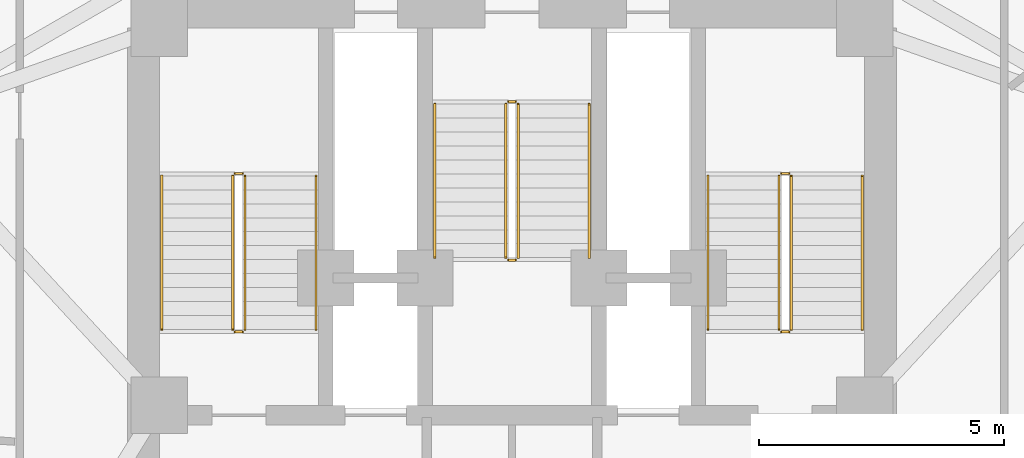
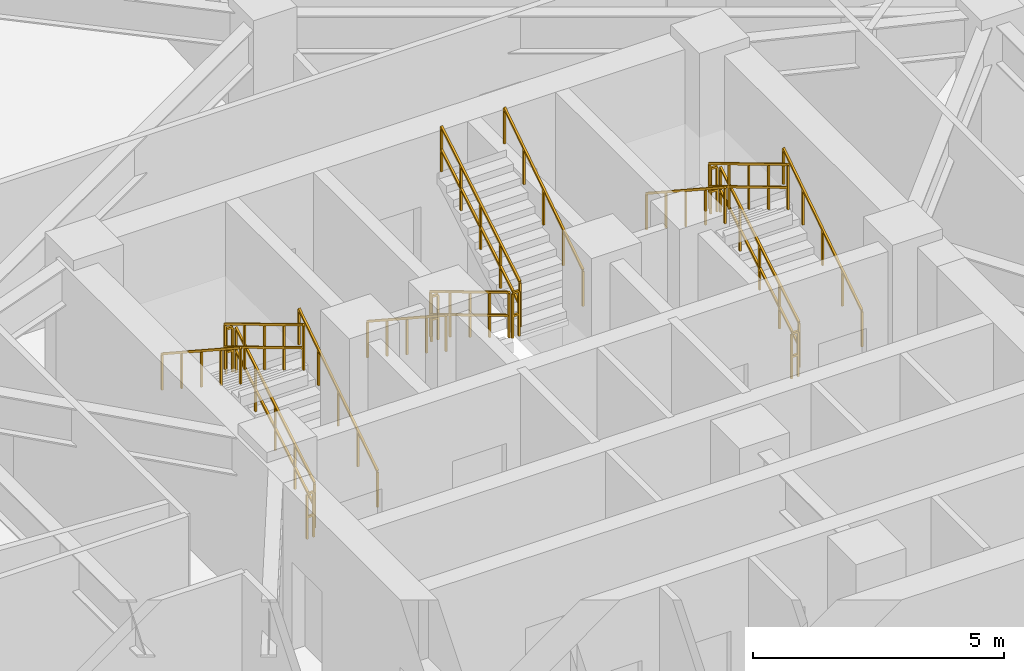
# One storey, part 9 of 10: 18 railings.
"""IFC4 building model written with IfcOpenShell, lengths in metres."""

from ifc_helpers import new_model, si_unit, direction, frame, origin, origin_2d, place, context, subcontext, project, spatial, rectangle, extrude, material, type_object, element, save


model = new_model("IFC4")

# Units and contexts
model_context = context("Model", 3, precision=1e-05, world=origin(), true_north=direction((0.0, 1.0)))
body_context = subcontext(model_context, "Body", "Model", "MODEL_VIEW")
ifc_project = project(units=[si_unit("LENGTHUNIT", "METRE"), si_unit("AREAUNIT", "SQUARE_METRE"), si_unit("VOLUMEUNIT", "CUBIC_METRE"), si_unit("PLANEANGLEUNIT", "RADIAN"), si_unit("MASSUNIT", "GRAM", prefix="KILO")], contexts=[model_context])

# Site, building, storey
site_placement = place(None, origin())
site = spatial("IfcSite", under=ifc_project, at=site_placement, CompositionType="ELEMENT")
building_placement = place(site_placement, origin())
building = spatial("IfcBuilding", under=site, at=building_placement, Name="Apsidion Concourse Tower", CompositionType="ELEMENT")
storey_placement = place(building_placement, frame((0.0, 0.0, 202.39990234375)))
storey = spatial("IfcBuildingStorey", under=building, at=storey_placement, Name="L47", CompositionType="ELEMENT", Elevation=202.39990234375)

# Railings
ifc_material = material(Name="Brushed stainless steel 316", Category="steel")
railing_type_1 = type_object("IfcRailingType", Name="RL-GUARD-1100", PredefinedType="GUARDRAIL", material=ifc_material)
railing_1_placement = place(storey_placement, frame((-5.449951171875, 3.0, 0.1708984375)))
element("IfcRailing", 1, at=railing_1_placement, inside=storey, type_object=railing_type_1, Name="L47 ST1 stair guard 1", PredefinedType="GUARDRAIL", context=body_context, shape_type="SweptSolid", body=[
    extrude(rectangle(XDim=0.048095703125, YDim=0.048095703125, at=origin_2d()), frame((0.0, 0.0, 1.09619140625), z_axis=(0.0, 0.857716804754, 0.514122439544), x_axis=(-1.0, 0.0, 0.0)), (0.0, 0.0, 1.0), 3.655029296875),
    extrude(rectangle(XDim=0.048095703125, YDim=0.048095703125, at=origin_2d()), frame((0.0, 0.0, 0.5361328125), z_axis=(0.0, 0.857716804754, 0.514122439544), x_axis=(-1.0, 0.0, 0.0)), (0.0, 0.0, 1.0), 3.655029296875),
    extrude(rectangle(XDim=0.0419921875, YDim=0.0419921875, at=origin_2d()), origin(), (0.0, 0.0, 1.0), 1.072021484375),
    extrude(rectangle(XDim=0.0419921875, YDim=0.0419921875, at=origin_2d()), frame((0.0, 0.78369140625, 0.4697265625)), (0.0, 0.0, 1.0), 1.072021484375),
    extrude(rectangle(XDim=0.0419921875, YDim=0.0419921875, at=origin_2d()), frame((0.0, 1.5673828125, 0.939453125)), (0.0, 0.0, 1.0), 1.072021484375),
    extrude(rectangle(XDim=0.0419921875, YDim=0.0419921875, at=origin_2d()), frame((0.0, 2.351318359375, 1.409423828125)), (0.0, 0.0, 1.0), 1.072021484375),
    extrude(rectangle(XDim=0.0419921875, YDim=0.0419921875, at=origin_2d()), frame((0.0, 3.135009765625, 1.879150390625)), (0.0, 0.0, 1.0), 1.072021484375),
])
railing_2_placement = place(storey_placement, frame((-5.5, 6.18505859375, 2.050048828125)))
element("IfcRailing", 2, at=railing_2_placement, inside=storey, type_object=railing_type_1, Name="L47 ST1 stair guard 2", PredefinedType="GUARDRAIL", context=body_context, shape_type="SweptSolid", body=[
    extrude(rectangle(XDim=0.048095703125, YDim=0.048095703125, at=origin_2d()), frame((0.0, 0.0, 1.09619140625), z_axis=(-1.0, 0.0, 0.0), x_axis=(0.0, -1.0, 0.0)), (0.0, 0.0, 1.0), 0.14990234375),
    extrude(rectangle(XDim=0.048095703125, YDim=0.048095703125, at=origin_2d()), frame((0.0, 0.0, 0.5361328125), z_axis=(-1.0, 0.0, 0.0), x_axis=(0.0, -1.0, 0.0)), (0.0, 0.0, 1.0), 0.14990234375),
    extrude(rectangle(XDim=0.0419921875, YDim=0.0419921875, at=origin_2d()), origin(), (0.0, 0.0, 1.0), 1.072021484375),
    extrude(rectangle(XDim=0.0419921875, YDim=0.0419921875, at=origin_2d()), frame((-0.14990234375, 0.0, 0.0)), (0.0, 0.0, 1.0), 1.072021484375),
])
railing_3_placement = place(storey_placement, frame((-5.699951171875, 6.135009765625, 2.220947265625)))
element("IfcRailing", 3, at=railing_3_placement, inside=storey, type_object=railing_type_1, Name="L47 ST1 stair guard 3", PredefinedType="GUARDRAIL", context=body_context, shape_type="SweptSolid", body=[
    extrude(rectangle(XDim=0.048095703125, YDim=0.048095703125, at=origin_2d()), frame((0.0, 0.0, 1.09619140625), z_axis=(0.0, -0.857716804754, 0.514122439544), x_axis=(1.0, 0.0, 0.0)), (0.0, 0.0, 1.0), 3.655029296875),
    extrude(rectangle(XDim=0.048095703125, YDim=0.048095703125, at=origin_2d()), frame((0.0, 0.0, 0.5361328125), z_axis=(0.0, -0.857716804754, 0.514122439544), x_axis=(1.0, 0.0, 0.0)), (0.0, 0.0, 1.0), 3.655029296875),
    extrude(rectangle(XDim=0.0419921875, YDim=0.0419921875, at=origin_2d()), origin(), (0.0, 0.0, 1.0), 1.072021484375),
    extrude(rectangle(XDim=0.0419921875, YDim=0.0419921875, at=origin_2d()), frame((0.0, -0.78369140625, 0.4697265625)), (0.0, 0.0, 1.0), 1.072021484375),
    extrude(rectangle(XDim=0.0419921875, YDim=0.0419921875, at=origin_2d()), frame((0.0, -1.5673828125, 0.939453125)), (0.0, 0.0, 1.0), 1.072021484375),
    extrude(rectangle(XDim=0.0419921875, YDim=0.0419921875, at=origin_2d()), frame((0.0, -2.351318359375, 1.409423828125)), (0.0, 0.0, 1.0), 1.072021484375),
    extrude(rectangle(XDim=0.0419921875, YDim=0.0419921875, at=origin_2d()), frame((0.0, -3.135009765625, 1.879150390625)), (0.0, 0.0, 1.0), 1.072021484375),
])
railing_4_placement = place(storey_placement, frame((-5.5, 2.949951171875, 0.0)))
element("IfcRailing", 4, at=railing_4_placement, inside=storey, type_object=railing_type_1, Name="L47 ST1 stair guard 4", PredefinedType="GUARDRAIL", context=body_context, shape_type="SweptSolid", body=[
    extrude(rectangle(XDim=0.048095703125, YDim=0.048095703125, at=origin_2d()), frame((0.0, 0.0, 1.09619140625), z_axis=(-1.0, 0.0, 0.0), x_axis=(0.0, -1.0, 0.0)), (0.0, 0.0, 1.0), 0.14990234375),
    extrude(rectangle(XDim=0.048095703125, YDim=0.048095703125, at=origin_2d()), frame((0.0, 0.0, 0.5361328125), z_axis=(-1.0, 0.0, 0.0), x_axis=(0.0, -1.0, 0.0)), (0.0, 0.0, 1.0), 0.14990234375),
    extrude(rectangle(XDim=0.0419921875, YDim=0.0419921875, at=origin_2d()), origin(), (0.0, 0.0, 1.0), 1.072021484375),
    extrude(rectangle(XDim=0.0419921875, YDim=0.0419921875, at=origin_2d()), frame((-0.14990234375, 0.0, 0.0)), (0.0, 0.0, 1.0), 1.072021484375),
])
railing_5_placement = place(storey_placement, frame((5.699951171875, 3.0, 0.1708984375)))
element("IfcRailing", 5, at=railing_5_placement, inside=storey, type_object=railing_type_1, Name="L47 ST2 stair guard 1", PredefinedType="GUARDRAIL", context=body_context, shape_type="SweptSolid", body=[
    extrude(rectangle(XDim=0.048095703125, YDim=0.048095703125, at=origin_2d()), frame((0.0, 0.0, 1.09619140625), z_axis=(0.0, 0.857716804754, 0.514122439544), x_axis=(-1.0, 0.0, 0.0)), (0.0, 0.0, 1.0), 3.655029296875),
    extrude(rectangle(XDim=0.048095703125, YDim=0.048095703125, at=origin_2d()), frame((0.0, 0.0, 0.5361328125), z_axis=(0.0, 0.857716804754, 0.514122439544), x_axis=(-1.0, 0.0, 0.0)), (0.0, 0.0, 1.0), 3.655029296875),
    extrude(rectangle(XDim=0.0419921875, YDim=0.0419921875, at=origin_2d()), origin(), (0.0, 0.0, 1.0), 1.072021484375),
    extrude(rectangle(XDim=0.0419921875, YDim=0.0419921875, at=origin_2d()), frame((0.0, 0.78369140625, 0.4697265625)), (0.0, 0.0, 1.0), 1.072021484375),
    extrude(rectangle(XDim=0.0419921875, YDim=0.0419921875, at=origin_2d()), frame((0.0, 1.5673828125, 0.939453125)), (0.0, 0.0, 1.0), 1.072021484375),
    extrude(rectangle(XDim=0.0419921875, YDim=0.0419921875, at=origin_2d()), frame((0.0, 2.351318359375, 1.409423828125)), (0.0, 0.0, 1.0), 1.072021484375),
    extrude(rectangle(XDim=0.0419921875, YDim=0.0419921875, at=origin_2d()), frame((0.0, 3.135009765625, 1.879150390625)), (0.0, 0.0, 1.0), 1.072021484375),
])
railing_6_placement = place(storey_placement, frame((5.64990234375, 6.18505859375, 2.050048828125)))
element("IfcRailing", 6, at=railing_6_placement, inside=storey, type_object=railing_type_1, Name="L47 ST2 stair guard 2", PredefinedType="GUARDRAIL", context=body_context, shape_type="SweptSolid", body=[
    extrude(rectangle(XDim=0.048095703125, YDim=0.048095703125, at=origin_2d()), frame((0.0, 0.0, 1.09619140625), z_axis=(-1.0, 0.0, 0.0), x_axis=(0.0, -1.0, 0.0)), (0.0, 0.0, 1.0), 0.14990234375),
    extrude(rectangle(XDim=0.048095703125, YDim=0.048095703125, at=origin_2d()), frame((0.0, 0.0, 0.5361328125), z_axis=(-1.0, 0.0, 0.0), x_axis=(0.0, -1.0, 0.0)), (0.0, 0.0, 1.0), 0.14990234375),
    extrude(rectangle(XDim=0.0419921875, YDim=0.0419921875, at=origin_2d()), origin(), (0.0, 0.0, 1.0), 1.072021484375),
    extrude(rectangle(XDim=0.0419921875, YDim=0.0419921875, at=origin_2d()), frame((-0.14990234375, 0.0, 0.0)), (0.0, 0.0, 1.0), 1.072021484375),
])
railing_7_placement = place(storey_placement, frame((5.449951171875, 6.135009765625, 2.220947265625)))
element("IfcRailing", 7, at=railing_7_placement, inside=storey, type_object=railing_type_1, Name="L47 ST2 stair guard 3", PredefinedType="GUARDRAIL", context=body_context, shape_type="SweptSolid", body=[
    extrude(rectangle(XDim=0.048095703125, YDim=0.048095703125, at=origin_2d()), frame((0.0, 0.0, 1.09619140625), z_axis=(0.0, -0.857716804754, 0.514122439544), x_axis=(1.0, 0.0, 0.0)), (0.0, 0.0, 1.0), 3.655029296875),
    extrude(rectangle(XDim=0.048095703125, YDim=0.048095703125, at=origin_2d()), frame((0.0, 0.0, 0.5361328125), z_axis=(0.0, -0.857716804754, 0.514122439544), x_axis=(1.0, 0.0, 0.0)), (0.0, 0.0, 1.0), 3.655029296875),
    extrude(rectangle(XDim=0.0419921875, YDim=0.0419921875, at=origin_2d()), origin(), (0.0, 0.0, 1.0), 1.072021484375),
    extrude(rectangle(XDim=0.0419921875, YDim=0.0419921875, at=origin_2d()), frame((0.0, -0.78369140625, 0.4697265625)), (0.0, 0.0, 1.0), 1.072021484375),
    extrude(rectangle(XDim=0.0419921875, YDim=0.0419921875, at=origin_2d()), frame((0.0, -1.5673828125, 0.939453125)), (0.0, 0.0, 1.0), 1.072021484375),
    extrude(rectangle(XDim=0.0419921875, YDim=0.0419921875, at=origin_2d()), frame((0.0, -2.351318359375, 1.409423828125)), (0.0, 0.0, 1.0), 1.072021484375),
    extrude(rectangle(XDim=0.0419921875, YDim=0.0419921875, at=origin_2d()), frame((0.0, -3.135009765625, 1.879150390625)), (0.0, 0.0, 1.0), 1.072021484375),
])
railing_8_placement = place(storey_placement, frame((5.64990234375, 2.949951171875, 0.0)))
element("IfcRailing", 8, at=railing_8_placement, inside=storey, type_object=railing_type_1, Name="L47 ST2 stair guard 4", PredefinedType="GUARDRAIL", context=body_context, shape_type="SweptSolid", body=[
    extrude(rectangle(XDim=0.048095703125, YDim=0.048095703125, at=origin_2d()), frame((0.0, 0.0, 1.09619140625), z_axis=(-1.0, 0.0, 0.0), x_axis=(0.0, -1.0, 0.0)), (0.0, 0.0, 1.0), 0.14990234375),
    extrude(rectangle(XDim=0.048095703125, YDim=0.048095703125, at=origin_2d()), frame((0.0, 0.0, 0.5361328125), z_axis=(-1.0, 0.0, 0.0), x_axis=(0.0, -1.0, 0.0)), (0.0, 0.0, 1.0), 0.14990234375),
    extrude(rectangle(XDim=0.0419921875, YDim=0.0419921875, at=origin_2d()), origin(), (0.0, 0.0, 1.0), 1.072021484375),
    extrude(rectangle(XDim=0.0419921875, YDim=0.0419921875, at=origin_2d()), frame((-0.14990234375, 0.0, 0.0)), (0.0, 0.0, 1.0), 1.072021484375),
])
railing_9_placement = place(storey_placement, frame((-0.125, 7.60009765625, 0.1708984375)))
element("IfcRailing", 9, at=railing_9_placement, inside=storey, type_object=railing_type_1, Name="L47 ST3 stair guard 1", PredefinedType="GUARDRAIL", context=body_context, shape_type="SweptSolid", body=[
    extrude(rectangle(XDim=0.048095703125, YDim=0.048095703125, at=origin_2d()), frame((0.0, 0.0, 1.09619140625), z_axis=(0.0, -0.857716804754, 0.514122439544), x_axis=(1.0, 0.0, 0.0)), (0.0, 0.0, 1.0), 3.655029296875),
    extrude(rectangle(XDim=0.048095703125, YDim=0.048095703125, at=origin_2d()), frame((0.0, 0.0, 0.5361328125), z_axis=(0.0, -0.857716804754, 0.514122439544), x_axis=(1.0, 0.0, 0.0)), (0.0, 0.0, 1.0), 3.655029296875),
    extrude(rectangle(XDim=0.0419921875, YDim=0.0419921875, at=origin_2d()), origin(), (0.0, 0.0, 1.0), 1.072021484375),
    extrude(rectangle(XDim=0.0419921875, YDim=0.0419921875, at=origin_2d()), frame((0.0, -0.78369140625, 0.4697265625)), (0.0, 0.0, 1.0), 1.072021484375),
    extrude(rectangle(XDim=0.0419921875, YDim=0.0419921875, at=origin_2d()), frame((0.0, -1.5673828125, 0.939453125)), (0.0, 0.0, 1.0), 1.072021484375),
    extrude(rectangle(XDim=0.0419921875, YDim=0.0419921875, at=origin_2d()), frame((0.0, -2.351318359375, 1.409423828125)), (0.0, 0.0, 1.0), 1.072021484375),
    extrude(rectangle(XDim=0.0419921875, YDim=0.0419921875, at=origin_2d()), frame((0.0, -3.135009765625, 1.879150390625)), (0.0, 0.0, 1.0), 1.072021484375),
])
railing_10_placement = place(storey_placement, frame((-0.074951171875, 4.4150390625, 2.050048828125)))
element("IfcRailing", 10, at=railing_10_placement, inside=storey, type_object=railing_type_1, Name="L47 ST3 stair guard 2", PredefinedType="GUARDRAIL", context=body_context, shape_type="SweptSolid", body=[
    extrude(rectangle(XDim=0.048095703125, YDim=0.048095703125, at=origin_2d()), frame((0.0, 0.0, 1.09619140625), z_axis=(1.0, 0.0, 0.0), x_axis=(0.0, 1.0, 0.0)), (0.0, 0.0, 1.0), 0.14990234375),
    extrude(rectangle(XDim=0.048095703125, YDim=0.048095703125, at=origin_2d()), frame((0.0, 0.0, 0.5361328125), z_axis=(1.0, 0.0, 0.0), x_axis=(0.0, 1.0, 0.0)), (0.0, 0.0, 1.0), 0.14990234375),
    extrude(rectangle(XDim=0.0419921875, YDim=0.0419921875, at=origin_2d()), origin(), (0.0, 0.0, 1.0), 1.072021484375),
    extrude(rectangle(XDim=0.0419921875, YDim=0.0419921875, at=origin_2d()), frame((0.14990234375, 0.0, 0.0)), (0.0, 0.0, 1.0), 1.072021484375),
])
railing_11_placement = place(storey_placement, frame((0.125, 4.465087890625, 2.220947265625)))
element("IfcRailing", 11, at=railing_11_placement, inside=storey, type_object=railing_type_1, Name="L47 ST3 stair guard 3", PredefinedType="GUARDRAIL", context=body_context, shape_type="SweptSolid", body=[
    extrude(rectangle(XDim=0.048095703125, YDim=0.048095703125, at=origin_2d()), frame((0.0, 0.0, 1.09619140625), z_axis=(0.0, 0.857716804754, 0.514122439544), x_axis=(-1.0, 0.0, 0.0)), (0.0, 0.0, 1.0), 3.655029296875),
    extrude(rectangle(XDim=0.048095703125, YDim=0.048095703125, at=origin_2d()), frame((0.0, 0.0, 0.5361328125), z_axis=(0.0, 0.857716804754, 0.514122439544), x_axis=(-1.0, 0.0, 0.0)), (0.0, 0.0, 1.0), 3.655029296875),
    extrude(rectangle(XDim=0.0419921875, YDim=0.0419921875, at=origin_2d()), origin(), (0.0, 0.0, 1.0), 1.072021484375),
    extrude(rectangle(XDim=0.0419921875, YDim=0.0419921875, at=origin_2d()), frame((0.0, 0.78369140625, 0.4697265625)), (0.0, 0.0, 1.0), 1.072021484375),
    extrude(rectangle(XDim=0.0419921875, YDim=0.0419921875, at=origin_2d()), frame((0.0, 1.5673828125, 0.939453125)), (0.0, 0.0, 1.0), 1.072021484375),
    extrude(rectangle(XDim=0.0419921875, YDim=0.0419921875, at=origin_2d()), frame((0.0, 2.351318359375, 1.409423828125)), (0.0, 0.0, 1.0), 1.072021484375),
    extrude(rectangle(XDim=0.0419921875, YDim=0.0419921875, at=origin_2d()), frame((0.0, 3.135009765625, 1.879150390625)), (0.0, 0.0, 1.0), 1.072021484375),
])
railing_12_placement = place(storey_placement, frame((-0.074951171875, 7.64990234375, 0.0)))
element("IfcRailing", 12, at=railing_12_placement, inside=storey, type_object=railing_type_1, Name="L47 ST3 stair guard 4", PredefinedType="GUARDRAIL", context=body_context, shape_type="SweptSolid", body=[
    extrude(rectangle(XDim=0.048095703125, YDim=0.048095703125, at=origin_2d()), frame((0.0, 0.0, 1.09619140625), z_axis=(1.0, 0.0, 0.0), x_axis=(0.0, 1.0, 0.0)), (0.0, 0.0, 1.0), 0.14990234375),
    extrude(rectangle(XDim=0.048095703125, YDim=0.048095703125, at=origin_2d()), frame((0.0, 0.0, 0.5361328125), z_axis=(1.0, 0.0, 0.0), x_axis=(0.0, 1.0, 0.0)), (0.0, 0.0, 1.0), 0.14990234375),
    extrude(rectangle(XDim=0.0419921875, YDim=0.0419921875, at=origin_2d()), origin(), (0.0, 0.0, 1.0), 1.072021484375),
    extrude(rectangle(XDim=0.0419921875, YDim=0.0419921875, at=origin_2d()), frame((0.14990234375, 0.0, 0.0)), (0.0, 0.0, 1.0), 1.072021484375),
])
railing_type_2 = type_object("IfcRailingType", Name="RL-HAND-900", PredefinedType="HANDRAIL", material=ifc_material)
railing_13_placement = place(storey_placement, frame((-4.0, 3.0, 0.1708984375)))
element("IfcRailing", 13, at=railing_13_placement, inside=storey, type_object=railing_type_2, Name="L47 ST1 stair handrail 1", PredefinedType="HANDRAIL", context=body_context, shape_type="SweptSolid", body=[
    extrude(rectangle(XDim=0.048095703125, YDim=0.048095703125, at=origin_2d()), frame((0.0, 0.0, 0.8759765625), z_axis=(0.0, 0.836940907821, 0.547293263996), x_axis=(-1.0, 0.0, 0.0)), (0.0, 0.0, 1.0), 3.745849609375),
    extrude(rectangle(XDim=0.0419921875, YDim=0.0419921875, at=origin_2d()), origin(), (0.0, 0.0, 1.0), 0.851806640625),
    extrude(rectangle(XDim=0.0419921875, YDim=0.0419921875, at=origin_2d()), frame((0.0, 0.78369140625, 0.512451171875)), (0.0, 0.0, 1.0), 0.851806640625),
    extrude(rectangle(XDim=0.0419921875, YDim=0.0419921875, at=origin_2d()), frame((0.0, 1.5673828125, 1.02490234375)), (0.0, 0.0, 1.0), 0.851806640625),
    extrude(rectangle(XDim=0.0419921875, YDim=0.0419921875, at=origin_2d()), frame((0.0, 2.351318359375, 1.53759765625)), (0.0, 0.0, 1.0), 0.851806640625),
    extrude(rectangle(XDim=0.0419921875, YDim=0.0419921875, at=origin_2d()), frame((0.0, 3.135009765625, 2.050048828125)), (0.0, 0.0, 1.0), 0.851806640625),
])
railing_14_placement = place(storey_placement, frame((-7.14990234375, 6.135009765625, 2.220947265625)))
element("IfcRailing", 14, at=railing_14_placement, inside=storey, type_object=railing_type_2, Name="L47 ST1 stair handrail 2", PredefinedType="HANDRAIL", context=body_context, shape_type="SweptSolid", body=[
    extrude(rectangle(XDim=0.048095703125, YDim=0.048095703125, at=origin_2d()), frame((0.0, 0.0, 0.8759765625), z_axis=(0.0, -0.836940907821, 0.547293263996), x_axis=(1.0, 0.0, 0.0)), (0.0, 0.0, 1.0), 3.745849609375),
    extrude(rectangle(XDim=0.0419921875, YDim=0.0419921875, at=origin_2d()), origin(), (0.0, 0.0, 1.0), 0.851806640625),
    extrude(rectangle(XDim=0.0419921875, YDim=0.0419921875, at=origin_2d()), frame((0.0, -0.78369140625, 0.512451171875)), (0.0, 0.0, 1.0), 0.851806640625),
    extrude(rectangle(XDim=0.0419921875, YDim=0.0419921875, at=origin_2d()), frame((0.0, -1.5673828125, 1.02490234375)), (0.0, 0.0, 1.0), 0.851806640625),
    extrude(rectangle(XDim=0.0419921875, YDim=0.0419921875, at=origin_2d()), frame((0.0, -2.351318359375, 1.53759765625)), (0.0, 0.0, 1.0), 0.851806640625),
    extrude(rectangle(XDim=0.0419921875, YDim=0.0419921875, at=origin_2d()), frame((0.0, -3.135009765625, 2.050048828125)), (0.0, 0.0, 1.0), 0.851806640625),
])
railing_15_placement = place(storey_placement, frame((7.14990234375, 3.0, 0.1708984375)))
element("IfcRailing", 15, at=railing_15_placement, inside=storey, type_object=railing_type_2, Name="L47 ST2 stair handrail 1", PredefinedType="HANDRAIL", context=body_context, shape_type="SweptSolid", body=[
    extrude(rectangle(XDim=0.048095703125, YDim=0.048095703125, at=origin_2d()), frame((0.0, 0.0, 0.8759765625), z_axis=(0.0, 0.836940907821, 0.547293263996), x_axis=(-1.0, 0.0, 0.0)), (0.0, 0.0, 1.0), 3.745849609375),
    extrude(rectangle(XDim=0.0419921875, YDim=0.0419921875, at=origin_2d()), origin(), (0.0, 0.0, 1.0), 0.851806640625),
    extrude(rectangle(XDim=0.0419921875, YDim=0.0419921875, at=origin_2d()), frame((0.0, 0.78369140625, 0.512451171875)), (0.0, 0.0, 1.0), 0.851806640625),
    extrude(rectangle(XDim=0.0419921875, YDim=0.0419921875, at=origin_2d()), frame((0.0, 1.5673828125, 1.02490234375)), (0.0, 0.0, 1.0), 0.851806640625),
    extrude(rectangle(XDim=0.0419921875, YDim=0.0419921875, at=origin_2d()), frame((0.0, 2.351318359375, 1.53759765625)), (0.0, 0.0, 1.0), 0.851806640625),
    extrude(rectangle(XDim=0.0419921875, YDim=0.0419921875, at=origin_2d()), frame((0.0, 3.135009765625, 2.050048828125)), (0.0, 0.0, 1.0), 0.851806640625),
])
for number, where, name in (
    (16, (4.0, 6.135009765625, 2.220947265625), "L47 ST2 stair handrail 2"),
    (17, (-1.574951171875, 7.60009765625, 0.1708984375), "L47 ST3 stair handrail 1"),
):
    element("IfcRailing", number, at=place(storey_placement, frame(where)), inside=storey, type_object=railing_type_2, Name=name, PredefinedType="HANDRAIL", context=body_context, shape_type="SweptSolid", body=[
        extrude(rectangle(XDim=0.048095703125, YDim=0.048095703125, at=origin_2d()), frame((0.0, 0.0, 0.8759765625), z_axis=(0.0, -0.836940907821, 0.547293263996), x_axis=(1.0, 0.0, 0.0)), (0.0, 0.0, 1.0), 3.745849609375),
        extrude(rectangle(XDim=0.0419921875, YDim=0.0419921875, at=origin_2d()), origin(), (0.0, 0.0, 1.0), 0.851806640625),
        extrude(rectangle(XDim=0.0419921875, YDim=0.0419921875, at=origin_2d()), frame((0.0, -0.78369140625, 0.512451171875)), (0.0, 0.0, 1.0), 0.851806640625),
        extrude(rectangle(XDim=0.0419921875, YDim=0.0419921875, at=origin_2d()), frame((0.0, -1.5673828125, 1.02490234375)), (0.0, 0.0, 1.0), 0.851806640625),
        extrude(rectangle(XDim=0.0419921875, YDim=0.0419921875, at=origin_2d()), frame((0.0, -2.351318359375, 1.53759765625)), (0.0, 0.0, 1.0), 0.851806640625),
        extrude(rectangle(XDim=0.0419921875, YDim=0.0419921875, at=origin_2d()), frame((0.0, -3.135009765625, 2.050048828125)), (0.0, 0.0, 1.0), 0.851806640625),
    ])
railing_16_placement = place(storey_placement, frame((1.574951171875, 4.465087890625, 2.220947265625)))
element("IfcRailing", 18, at=railing_16_placement, inside=storey, type_object=railing_type_2, Name="L47 ST3 stair handrail 2", PredefinedType="HANDRAIL", context=body_context, shape_type="SweptSolid", body=[
    extrude(rectangle(XDim=0.048095703125, YDim=0.048095703125, at=origin_2d()), frame((0.0, 0.0, 0.8759765625), z_axis=(0.0, 0.836940907821, 0.547293263996), x_axis=(-1.0, 0.0, 0.0)), (0.0, 0.0, 1.0), 3.745849609375),
    extrude(rectangle(XDim=0.0419921875, YDim=0.0419921875, at=origin_2d()), origin(), (0.0, 0.0, 1.0), 0.851806640625),
    extrude(rectangle(XDim=0.0419921875, YDim=0.0419921875, at=origin_2d()), frame((0.0, 0.78369140625, 0.512451171875)), (0.0, 0.0, 1.0), 0.851806640625),
    extrude(rectangle(XDim=0.0419921875, YDim=0.0419921875, at=origin_2d()), frame((0.0, 1.5673828125, 1.02490234375)), (0.0, 0.0, 1.0), 0.851806640625),
    extrude(rectangle(XDim=0.0419921875, YDim=0.0419921875, at=origin_2d()), frame((0.0, 2.351318359375, 1.53759765625)), (0.0, 0.0, 1.0), 0.851806640625),
    extrude(rectangle(XDim=0.0419921875, YDim=0.0419921875, at=origin_2d()), frame((0.0, 3.135009765625, 2.050048828125)), (0.0, 0.0, 1.0), 0.851806640625),
])

save(model, "model.ifc")
